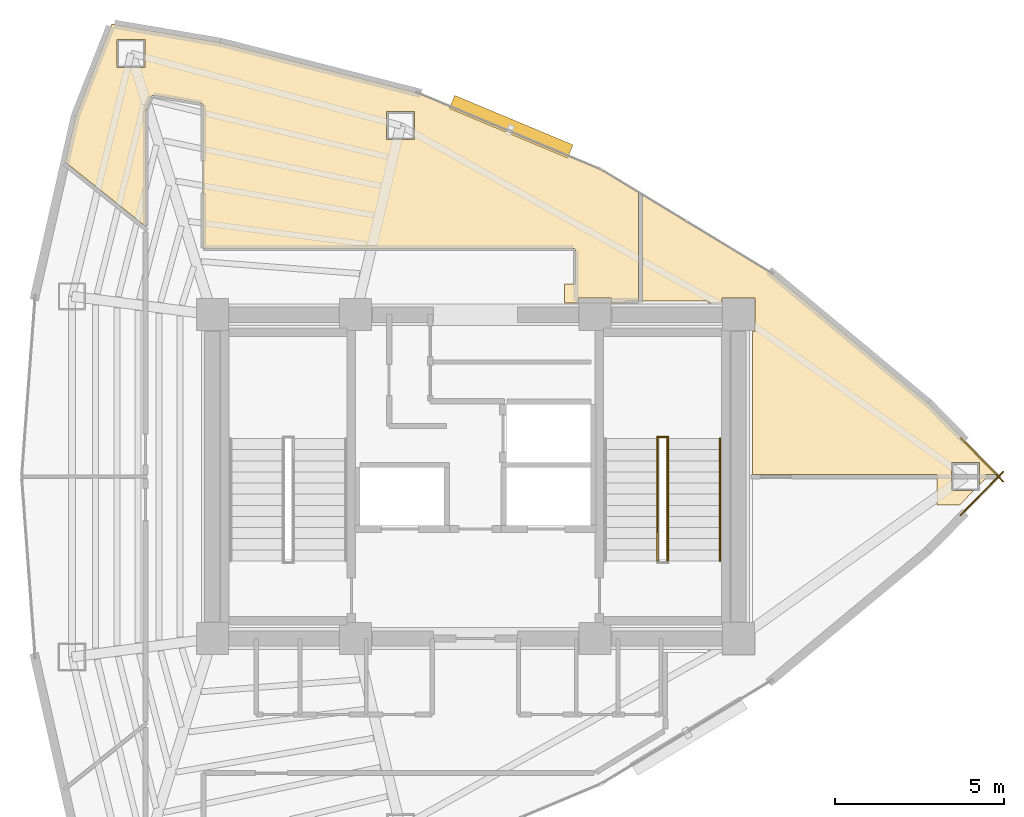
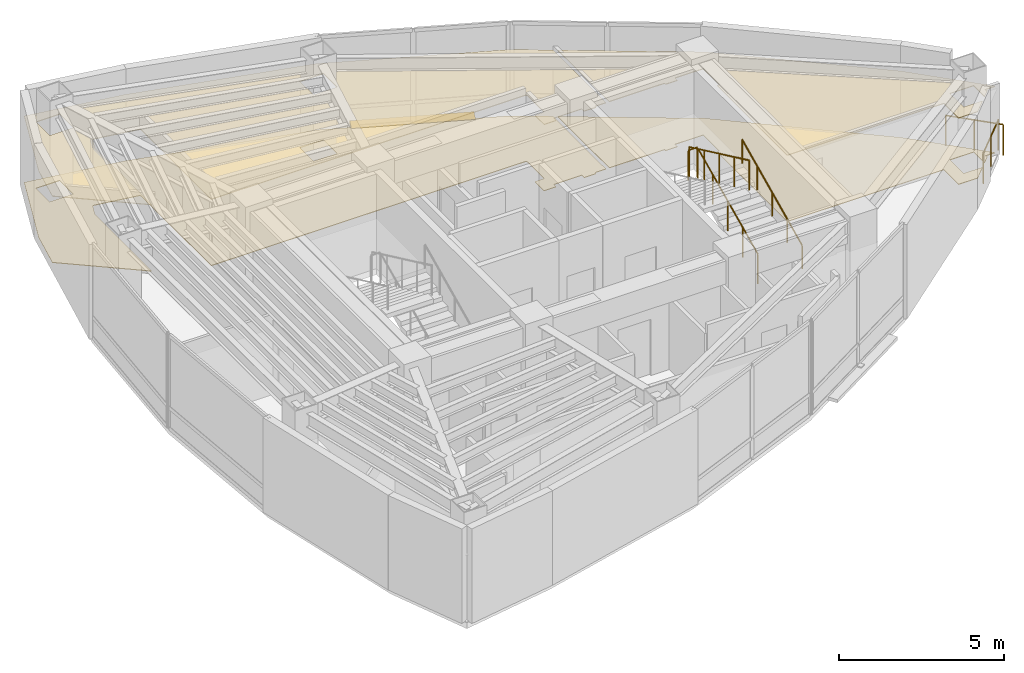
# One storey, part 15 of 15: 6 railings, 4 coverings, 1 shading device.
"""IFC4 building model written with IfcOpenShell, lengths in metres."""

from ifc_helpers import new_model, si_unit, direction, frame, origin, origin_2d, place, context, subcontext, project, spatial, polyline, rectangle, circle, outline, extrude, material, layer, layer_set, type_object, element, save


model = new_model("IFC4")

# Units and contexts
model_context = context("Model", 3, precision=1e-05, world=origin(), true_north=direction((0.0, 1.0)))
body_context = subcontext(model_context, "Body", "Model", "MODEL_VIEW")
ifc_project = project(units=[si_unit("LENGTHUNIT", "METRE"), si_unit("AREAUNIT", "SQUARE_METRE"), si_unit("VOLUMEUNIT", "CUBIC_METRE"), si_unit("PLANEANGLEUNIT", "RADIAN"), si_unit("MASSUNIT", "GRAM", prefix="KILO")], contexts=[model_context])

# Site, building, storey
site_placement = place(None, origin())
site = spatial("IfcSite", under=ifc_project, at=site_placement, CompositionType="ELEMENT")
building_placement = place(site_placement, origin())
building = spatial("IfcBuilding", under=site, at=building_placement, Name="Menara Vayukalpa", CompositionType="ELEMENT")
storey_placement = place(building_placement, frame((0.0, 0.0, 258.300048828125)))
storey = spatial("IfcBuildingStorey", under=building, at=storey_placement, Name="L65", CompositionType="ELEMENT", Elevation=258.300048828125)

# Coverings
ifc_material_1 = material(Name="Mineral Fibre Acoustic Ceiling Tile", Category="masonry")
ifc_layer_1 = layer(ifc_material_1, 0.02490234375)
ifc_layer_set_1 = layer_set([ifc_layer_1], Name="Mineral Fibre Acoustic Ceiling Tile")
covering_type_1 = type_object("IfcCoveringType", Name="COV-CLG1", PredefinedType="CEILING", material=ifc_layer_set_1)
covering_1_placement = place(storey_placement, frame((0.0, 0.0, 2.449951171875)))
element("IfcCovering", 1, at=covering_1_placement, inside=storey, type_object=covering_type_1, Name="L65 Technical Reference Library Acoustic Ceiling", PredefinedType="CEILING", context=body_context, shape_type="SweptSolid", body=[
    extrude(outline(polyline([(33.820068359375, 22.06005859375), (33.819091796875, 22.06005859375), (33.818115234375, 22.060302734375), (33.817138671875, 22.060302734375), (33.816162109375, 22.060791015625), (33.815185546875, 22.061279296875), (33.814453125, 22.061767578125), (33.813720703125, 22.062255859375), (33.81298828125, 22.06298828125), (33.812255859375, 22.063720703125), (33.811767578125, 22.064453125), (33.811279296875, 22.065185546875), (33.810791015625, 22.066162109375), (33.810302734375, 22.067138671875), (33.810302734375, 22.068115234375), (33.81005859375, 22.069091796875), (33.81005859375, 22.070068359375), (33.81005859375, 26.31005859375), (33.889892578125, 26.31005859375), (33.889892578125, 27.2900390625), (32.909912109375, 27.2900390625), (32.909912109375, 27.14990234375), (32.489990234375, 27.14990234375), (32.489990234375, 27.2099609375), (30.570068359375, 27.2099609375), (30.569091796875, 27.2099609375), (30.568115234375, 27.210205078125), (30.567138671875, 27.21044921875), (30.566162109375, 27.210693359375), (30.565185546875, 27.211181640625), (30.564453125, 27.211669921875), (30.563720703125, 27.21240234375), (30.56298828125, 27.212890625), (30.562255859375, 27.213623046875), (30.561767578125, 27.21435546875), (30.561279296875, 27.21533203125), (30.560791015625, 27.21630859375), (30.560302734375, 27.217041015625), (30.560302734375, 27.218017578125), (30.56005859375, 27.218994140625), (30.56005859375, 27.219970703125), (30.56005859375, 30.329345703125), (30.56005859375, 30.330322265625), (30.560302734375, 30.331298828125), (30.560302734375, 30.33203125), (30.560791015625, 30.3330078125), (30.56103515625, 30.333984375), (30.5615234375, 30.334716796875), (30.562255859375, 30.33544921875), (30.562744140625, 30.336181640625), (30.5634765625, 30.3369140625), (30.564208984375, 30.33740234375), (30.565185546875, 30.337890625), (30.56591796875, 30.33837890625), (30.56689453125, 30.3388671875), (30.56787109375, 30.339111328125), (30.568603515625, 30.339111328125), (30.569580078125, 30.33935546875), (30.570556640625, 30.33935546875), (30.571533203125, 30.339111328125), (30.572509765625, 30.339111328125), (30.573486328125, 30.338623046875), (30.57421875, 30.33837890625), (30.5751953125, 30.337890625), (34.37353515625, 28.030517578125), (34.374755859375, 28.02978515625), (39.0205078125, 24.177001953125), (39.021240234375, 24.17626953125), (41.082275390625, 22.076904296875), (41.0830078125, 22.076416015625), (41.08349609375, 22.075439453125), (41.083984375, 22.07470703125), (41.08447265625, 22.07373046875), (41.084716796875, 22.07275390625), (41.0849609375, 22.072021484375), (41.085205078125, 22.07080078125), (41.085205078125, 22.06982421875), (41.0849609375, 22.069091796875), (41.0849609375, 22.068115234375), (41.084716796875, 22.06689453125), (41.084228515625, 22.066162109375), (41.083984375, 22.065185546875), (41.08349609375, 22.064453125), (41.082763671875, 22.063720703125), (41.08203125, 22.06298828125), (41.081298828125, 22.062255859375), (41.08056640625, 22.061767578125), (41.079833984375, 22.061279296875), (41.078857421875, 22.060791015625), (41.077880859375, 22.060302734375), (41.076904296875, 22.060302734375), (41.076171875, 22.06005859375), (41.0751953125, 22.06005859375), (40.720703125, 22.06005859375), (40.779541015625, 22.0), (40.536865234375, 21.7529296875), (40.536865234375, 22.4150390625), (39.706787109375, 22.4150390625), (39.706787109375, 21.5849609375), (40.3720703125, 21.5849609375), (39.959716796875, 21.1650390625), (39.286865234375, 21.1650390625), (39.286865234375, 22.06005859375), (33.820068359375, 22.06005859375)])), origin(), (0.0, 0.0, 1.0), 0.02490234375),
])
covering_2_placement = place(storey_placement, frame((0.0, 0.0, 2.449951171875)))
element("IfcCovering", 2, at=covering_2_placement, inside=storey, type_object=covering_type_1, Name="L65 Technical Reference Library Acoustic Ceiling", PredefinedType="CEILING", context=body_context, shape_type="SweptSolid", body=[
    extrude(outline(polyline([(28.569580078125, 28.706787109375), (28.568603515625, 28.713623046875), (28.56689453125, 28.72021484375), (28.564697265625, 28.726806640625), (28.561767578125, 28.73291015625), (28.55810546875, 28.73876953125), (28.553955078125, 28.744384765625), (28.549560546875, 28.74951171875), (28.54443359375, 28.75390625), (28.538818359375, 28.75830078125), (28.532958984375, 28.76171875), (28.52685546875, 28.7646484375), (28.520263671875, 28.76708984375), (28.513671875, 28.768798828125), (28.5068359375, 28.76953125), (28.499755859375, 28.77001953125), (17.5400390625, 28.77001953125), (17.5390625, 28.77001953125), (17.5380859375, 28.770263671875), (17.537109375, 28.7705078125), (17.5361328125, 28.770751953125), (17.535400390625, 28.771240234375), (17.534423828125, 28.771728515625), (17.53369140625, 28.772216796875), (17.532958984375, 28.77294921875), (17.5322265625, 28.773681640625), (17.53173828125, 28.7744140625), (17.53125, 28.775390625), (17.53076171875, 28.776123046875), (17.530517578125, 28.777099609375), (17.5302734375, 28.778076171875), (17.530029296875, 28.779052734375), (17.530029296875, 28.780029296875), (17.530029296875, 32.995849609375), (17.529541015625, 33.003173828125), (17.528564453125, 33.010009765625), (17.52685546875, 33.016845703125), (17.5244140625, 33.0234375), (17.521484375, 33.02978515625), (17.517822265625, 33.03564453125), (17.513427734375, 33.041259765625), (17.5087890625, 33.04638671875), (17.50341796875, 33.05078125), (17.497802734375, 33.05517578125), (17.49169921875, 33.05859375), (17.485107421875, 33.061279296875), (17.478515625, 33.063720703125), (17.471435546875, 33.065185546875), (16.06201171875, 33.304443359375), (16.054931640625, 33.305419921875), (16.048095703125, 33.305419921875), (16.041259765625, 33.304931640625), (16.034423828125, 33.3037109375), (16.02783203125, 33.302001953125), (16.021484375, 33.299560546875), (16.015625, 33.29638671875), (16.009765625, 33.292724609375), (16.00439453125, 33.28857421875), (15.999267578125, 33.283935546875), (15.994873046875, 33.27880859375), (15.990966796875, 33.273193359375), (15.987548828125, 33.267333984375), (15.984619140625, 33.2607421875), (15.8349609375, 32.87939453125), (15.832763671875, 32.873291015625), (15.831298828125, 32.86669921875), (15.830322265625, 32.8603515625), (15.830078125, 32.853515625), (15.830078125, 29.43359375), (15.830078125, 29.4326171875), (15.829833984375, 29.431640625), (15.82958984375, 29.4306640625), (15.8291015625, 29.4296875), (15.828857421875, 29.428955078125), (15.828369140625, 29.427978515625), (15.827880859375, 29.42724609375), (15.8271484375, 29.426513671875), (15.826416015625, 29.42578125), (15.82568359375, 29.42529296875), (15.82470703125, 29.4248046875), (15.823974609375, 29.42431640625), (15.822998046875, 29.424072265625), (15.822021484375, 29.423828125), (15.821044921875, 29.423583984375), (15.820068359375, 29.423583984375), (15.819091796875, 29.423583984375), (15.818115234375, 29.423828125), (15.817138671875, 29.424072265625), (15.81640625, 29.42431640625), (15.8154296875, 29.4248046875), (15.814453125, 29.42529296875), (15.813720703125, 29.42578125), (13.44921875, 31.3173828125), (13.448974609375, 31.317626953125), (13.448486328125, 31.318115234375), (13.44775390625, 31.31884765625), (13.447021484375, 31.319580078125), (13.4462890625, 31.3203125), (13.44580078125, 31.3212890625), (13.445556640625, 31.322021484375), (13.4453125, 31.322998046875), (13.445068359375, 31.323974609375), (13.44482421875, 31.324951171875), (13.44482421875, 31.325927734375), (13.44482421875, 31.326904296875), (13.445068359375, 31.327880859375), (13.75146484375, 32.689697265625), (13.751708984375, 32.690185546875), (13.751953125, 32.691162109375), (14.8173828125, 35.404541015625), (14.81787109375, 35.4052734375), (14.818359375, 35.40625), (14.81884765625, 35.406982421875), (14.819580078125, 35.40771484375), (14.8203125, 35.408447265625), (14.821044921875, 35.408935546875), (14.822021484375, 35.409423828125), (14.82275390625, 35.409912109375), (14.82373046875, 35.410400390625), (14.82470703125, 35.41064453125), (14.82568359375, 35.41064453125), (14.826416015625, 35.410888671875), (14.827392578125, 35.410888671875), (14.82861328125, 35.41064453125), (18.027587890625, 34.867431640625), (18.028564453125, 34.8671875), (23.877197265625, 33.375732421875), (23.878662109375, 33.375244140625), (29.32568359375, 31.0966796875), (29.326416015625, 31.09619140625), (29.3271484375, 31.095947265625), (30.435546875, 30.422607421875), (30.436279296875, 30.422119140625), (30.437255859375, 30.42138671875), (30.437744140625, 30.4208984375), (30.4384765625, 30.419921875), (30.43896484375, 30.419189453125), (30.439453125, 30.418212890625), (30.439697265625, 30.41748046875), (30.440185546875, 30.41650390625), (30.440185546875, 30.41552734375), (30.4404296875, 30.41455078125), (30.4404296875, 30.41357421875), (30.440185546875, 30.41259765625), (30.440185546875, 30.412353515625), (30.43994140625, 30.40673828125), (30.43994140625, 27.219970703125), (30.43994140625, 27.218994140625), (30.439697265625, 27.218017578125), (30.439697265625, 27.217041015625), (30.439208984375, 27.21630859375), (30.438720703125, 27.21533203125), (30.438232421875, 27.21435546875), (30.437744140625, 27.213623046875), (30.43701171875, 27.212890625), (30.436279296875, 27.21240234375), (30.435546875, 27.211669921875), (30.434814453125, 27.211181640625), (30.433837890625, 27.210693359375), (30.432861328125, 27.21044921875), (30.431884765625, 27.210205078125), (30.430908203125, 27.2099609375), (30.429931640625, 27.2099609375), (30.06005859375, 27.2099609375), (30.06005859375, 27.14990234375), (29.639892578125, 27.14990234375), (29.639892578125, 27.2900390625), (28.659912109375, 27.2900390625), (28.659912109375, 27.14990234375), (28.239990234375, 27.14990234375), (28.239990234375, 27.7099609375), (28.570068359375, 27.7099609375), (28.570068359375, 28.69970703125), (28.569580078125, 28.706787109375)]), holes=[polyline([(15.80419921875, 34.959716796875), (14.97412109375, 34.959716796875), (14.97412109375, 34.129638671875), (15.80419921875, 34.129638671875), (15.80419921875, 34.959716796875)]), polyline([(23.796875, 32.81982421875), (22.966796875, 32.81982421875), (22.966796875, 31.98974609375), (23.796875, 31.98974609375), (23.796875, 32.81982421875)])]), origin(), (0.0, 0.0, 1.0), 0.02490234375),
])
ifc_material_2 = material(Name="Porcelain Stoneware Floor Tile", Category="masonry")
ifc_layer_2 = layer(ifc_material_2, 0.02001953125)
ifc_layer_set_2 = layer_set([ifc_layer_2], Name="Porcelain Stoneware Floor Tile")
covering_type_2 = type_object("IfcCoveringType", Name="COV-FLR1", PredefinedType="FLOORING", material=ifc_layer_set_2)
covering_3_placement = place(storey_placement, origin())
element("IfcCovering", 3, at=covering_3_placement, inside=storey, type_object=covering_type_2, Name="L65 Technical Reference Library Porcelain Flooring", PredefinedType="FLOORING", context=body_context, shape_type="SweptSolid", body=[
    extrude(outline(polyline([(33.820068359375, 22.06005859375), (33.819091796875, 22.06005859375), (33.818115234375, 22.060302734375), (33.817138671875, 22.060302734375), (33.816162109375, 22.060791015625), (33.815185546875, 22.061279296875), (33.814453125, 22.061767578125), (33.813720703125, 22.062255859375), (33.81298828125, 22.06298828125), (33.812255859375, 22.063720703125), (33.811767578125, 22.064453125), (33.811279296875, 22.065185546875), (33.810791015625, 22.066162109375), (33.810302734375, 22.067138671875), (33.810302734375, 22.068115234375), (33.81005859375, 22.069091796875), (33.81005859375, 22.070068359375), (33.81005859375, 26.31005859375), (33.889892578125, 26.31005859375), (33.889892578125, 27.2900390625), (32.909912109375, 27.2900390625), (32.909912109375, 27.14990234375), (32.489990234375, 27.14990234375), (32.489990234375, 27.2099609375), (30.570068359375, 27.2099609375), (30.569091796875, 27.2099609375), (30.568115234375, 27.210205078125), (30.567138671875, 27.21044921875), (30.566162109375, 27.210693359375), (30.565185546875, 27.211181640625), (30.564453125, 27.211669921875), (30.563720703125, 27.21240234375), (30.56298828125, 27.212890625), (30.562255859375, 27.213623046875), (30.561767578125, 27.21435546875), (30.561279296875, 27.21533203125), (30.560791015625, 27.21630859375), (30.560302734375, 27.217041015625), (30.560302734375, 27.218017578125), (30.56005859375, 27.218994140625), (30.56005859375, 27.219970703125), (30.56005859375, 30.329345703125), (30.56005859375, 30.330322265625), (30.560302734375, 30.331298828125), (30.560302734375, 30.33203125), (30.560791015625, 30.3330078125), (30.56103515625, 30.333984375), (30.5615234375, 30.334716796875), (30.562255859375, 30.33544921875), (30.562744140625, 30.336181640625), (30.5634765625, 30.3369140625), (30.564208984375, 30.33740234375), (30.565185546875, 30.337890625), (30.56591796875, 30.33837890625), (30.56689453125, 30.3388671875), (30.56787109375, 30.339111328125), (30.568603515625, 30.339111328125), (30.569580078125, 30.33935546875), (30.570556640625, 30.33935546875), (30.571533203125, 30.339111328125), (30.572509765625, 30.339111328125), (30.573486328125, 30.338623046875), (30.57421875, 30.33837890625), (30.5751953125, 30.337890625), (34.37353515625, 28.030517578125), (34.374755859375, 28.02978515625), (39.0205078125, 24.177001953125), (39.021240234375, 24.17626953125), (41.082275390625, 22.076904296875), (41.0830078125, 22.076416015625), (41.08349609375, 22.075439453125), (41.083984375, 22.07470703125), (41.08447265625, 22.07373046875), (41.084716796875, 22.07275390625), (41.0849609375, 22.072021484375), (41.085205078125, 22.07080078125), (41.085205078125, 22.06982421875), (41.0849609375, 22.069091796875), (41.0849609375, 22.068115234375), (41.084716796875, 22.06689453125), (41.084228515625, 22.066162109375), (41.083984375, 22.065185546875), (41.08349609375, 22.064453125), (41.082763671875, 22.063720703125), (41.08203125, 22.06298828125), (41.081298828125, 22.062255859375), (41.08056640625, 22.061767578125), (41.079833984375, 22.061279296875), (41.078857421875, 22.060791015625), (41.077880859375, 22.060302734375), (41.076904296875, 22.060302734375), (41.076171875, 22.06005859375), (41.0751953125, 22.06005859375), (40.720703125, 22.06005859375), (40.779541015625, 22.0), (40.536865234375, 21.7529296875), (40.536865234375, 22.4150390625), (39.706787109375, 22.4150390625), (39.706787109375, 21.5849609375), (40.3720703125, 21.5849609375), (39.959716796875, 21.1650390625), (39.286865234375, 21.1650390625), (39.286865234375, 22.06005859375), (33.820068359375, 22.06005859375)])), origin(), (0.0, 0.0, 1.0), 0.02001953125),
])
covering_4_placement = place(storey_placement, origin())
element("IfcCovering", 4, at=covering_4_placement, inside=storey, type_object=covering_type_2, Name="L65 Technical Reference Library Porcelain Flooring", PredefinedType="FLOORING", context=body_context, shape_type="SweptSolid", body=[
    extrude(outline(polyline([(28.569580078125, 28.706787109375), (28.568603515625, 28.713623046875), (28.56689453125, 28.72021484375), (28.564697265625, 28.726806640625), (28.561767578125, 28.73291015625), (28.55810546875, 28.73876953125), (28.553955078125, 28.744384765625), (28.549560546875, 28.74951171875), (28.54443359375, 28.75390625), (28.538818359375, 28.75830078125), (28.532958984375, 28.76171875), (28.52685546875, 28.7646484375), (28.520263671875, 28.76708984375), (28.513671875, 28.768798828125), (28.5068359375, 28.76953125), (28.499755859375, 28.77001953125), (17.5400390625, 28.77001953125), (17.5390625, 28.77001953125), (17.5380859375, 28.770263671875), (17.537109375, 28.7705078125), (17.5361328125, 28.770751953125), (17.535400390625, 28.771240234375), (17.534423828125, 28.771728515625), (17.53369140625, 28.772216796875), (17.532958984375, 28.77294921875), (17.5322265625, 28.773681640625), (17.53173828125, 28.7744140625), (17.53125, 28.775390625), (17.53076171875, 28.776123046875), (17.530517578125, 28.777099609375), (17.5302734375, 28.778076171875), (17.530029296875, 28.779052734375), (17.530029296875, 28.780029296875), (17.530029296875, 32.995849609375), (17.529541015625, 33.003173828125), (17.528564453125, 33.010009765625), (17.52685546875, 33.016845703125), (17.5244140625, 33.0234375), (17.521484375, 33.02978515625), (17.517822265625, 33.03564453125), (17.513427734375, 33.041259765625), (17.5087890625, 33.04638671875), (17.50341796875, 33.05078125), (17.497802734375, 33.05517578125), (17.49169921875, 33.05859375), (17.485107421875, 33.061279296875), (17.478515625, 33.063720703125), (17.471435546875, 33.065185546875), (16.06201171875, 33.304443359375), (16.054931640625, 33.305419921875), (16.048095703125, 33.305419921875), (16.041259765625, 33.304931640625), (16.034423828125, 33.3037109375), (16.02783203125, 33.302001953125), (16.021484375, 33.299560546875), (16.015625, 33.29638671875), (16.009765625, 33.292724609375), (16.00439453125, 33.28857421875), (15.999267578125, 33.283935546875), (15.994873046875, 33.27880859375), (15.990966796875, 33.273193359375), (15.987548828125, 33.267333984375), (15.984619140625, 33.2607421875), (15.8349609375, 32.87939453125), (15.832763671875, 32.873291015625), (15.831298828125, 32.86669921875), (15.830322265625, 32.8603515625), (15.830078125, 32.853515625), (15.830078125, 29.43359375), (15.830078125, 29.4326171875), (15.829833984375, 29.431640625), (15.82958984375, 29.4306640625), (15.8291015625, 29.4296875), (15.828857421875, 29.428955078125), (15.828369140625, 29.427978515625), (15.827880859375, 29.42724609375), (15.8271484375, 29.426513671875), (15.826416015625, 29.42578125), (15.82568359375, 29.42529296875), (15.82470703125, 29.4248046875), (15.823974609375, 29.42431640625), (15.822998046875, 29.424072265625), (15.822021484375, 29.423828125), (15.821044921875, 29.423583984375), (15.820068359375, 29.423583984375), (15.819091796875, 29.423583984375), (15.818115234375, 29.423828125), (15.817138671875, 29.424072265625), (15.81640625, 29.42431640625), (15.8154296875, 29.4248046875), (15.814453125, 29.42529296875), (15.813720703125, 29.42578125), (13.44921875, 31.3173828125), (13.448974609375, 31.317626953125), (13.448486328125, 31.318115234375), (13.44775390625, 31.31884765625), (13.447021484375, 31.319580078125), (13.4462890625, 31.3203125), (13.44580078125, 31.3212890625), (13.445556640625, 31.322021484375), (13.4453125, 31.322998046875), (13.445068359375, 31.323974609375), (13.44482421875, 31.324951171875), (13.44482421875, 31.325927734375), (13.44482421875, 31.326904296875), (13.445068359375, 31.327880859375), (13.75146484375, 32.689697265625), (13.751708984375, 32.690185546875), (13.751953125, 32.691162109375), (14.8173828125, 35.404541015625), (14.81787109375, 35.4052734375), (14.818359375, 35.40625), (14.81884765625, 35.406982421875), (14.819580078125, 35.40771484375), (14.8203125, 35.408447265625), (14.821044921875, 35.408935546875), (14.822021484375, 35.409423828125), (14.82275390625, 35.409912109375), (14.82373046875, 35.410400390625), (14.82470703125, 35.41064453125), (14.82568359375, 35.41064453125), (14.826416015625, 35.410888671875), (14.827392578125, 35.410888671875), (14.82861328125, 35.41064453125), (18.027587890625, 34.867431640625), (18.028564453125, 34.8671875), (23.877197265625, 33.375732421875), (23.878662109375, 33.375244140625), (29.32568359375, 31.0966796875), (29.326416015625, 31.09619140625), (29.3271484375, 31.095947265625), (30.435546875, 30.422607421875), (30.436279296875, 30.422119140625), (30.437255859375, 30.42138671875), (30.437744140625, 30.4208984375), (30.4384765625, 30.419921875), (30.43896484375, 30.419189453125), (30.439453125, 30.418212890625), (30.439697265625, 30.41748046875), (30.440185546875, 30.41650390625), (30.440185546875, 30.41552734375), (30.4404296875, 30.41455078125), (30.4404296875, 30.41357421875), (30.440185546875, 30.41259765625), (30.440185546875, 30.412353515625), (30.43994140625, 30.40673828125), (30.43994140625, 27.219970703125), (30.43994140625, 27.218994140625), (30.439697265625, 27.218017578125), (30.439697265625, 27.217041015625), (30.439208984375, 27.21630859375), (30.438720703125, 27.21533203125), (30.438232421875, 27.21435546875), (30.437744140625, 27.213623046875), (30.43701171875, 27.212890625), (30.436279296875, 27.21240234375), (30.435546875, 27.211669921875), (30.434814453125, 27.211181640625), (30.433837890625, 27.210693359375), (30.432861328125, 27.21044921875), (30.431884765625, 27.210205078125), (30.430908203125, 27.2099609375), (30.429931640625, 27.2099609375), (30.06005859375, 27.2099609375), (30.06005859375, 27.14990234375), (29.639892578125, 27.14990234375), (29.639892578125, 27.2900390625), (28.659912109375, 27.2900390625), (28.659912109375, 27.14990234375), (28.239990234375, 27.14990234375), (28.239990234375, 27.7099609375), (28.570068359375, 27.7099609375), (28.570068359375, 28.69970703125), (28.569580078125, 28.706787109375)]), holes=[polyline([(15.80419921875, 34.959716796875), (14.97412109375, 34.959716796875), (14.97412109375, 34.129638671875), (15.80419921875, 34.129638671875), (15.80419921875, 34.959716796875)]), polyline([(23.796875, 32.81982421875), (22.966796875, 32.81982421875), (22.966796875, 31.98974609375), (23.796875, 31.98974609375), (23.796875, 32.81982421875)])]), origin(), (0.0, 0.0, 1.0), 0.02001953125),
])

# Railings
ifc_material_3 = material(Name="Laminated Glass and Stainless Steel 316 Guardrail", Category="steel")
railing_type_1 = type_object("IfcRailingType", Name="RLG-EXT115", PredefinedType="GUARDRAIL", material=ifc_material_3)
railing_1_placement = place(storey_placement, frame((39.976318359375, 20.853515625, 0.0)))
element("IfcRailing", 5, at=railing_1_placement, inside=storey, type_object=railing_type_1, Name="L65 Column Corner Spandrel Guardrail 01-1", PredefinedType="GUARDRAIL", context=body_context, shape_type="SweptSolid", body=[
    extrude(circle(Radius=0.02392578125, at=origin_2d()), frame((0.0, 0.0, 1.1259765625), z_axis=(0.700555224103, 0.713598190848, 0.0), x_axis=(-0.713598190848, 0.700555224103, 0.0)), (0.0, 0.0, 1.0), 1.815673828125),
    extrude(circle(Radius=0.02099609375, at=origin_2d()), origin(), (0.0, 0.0, 1.0), 1.101806640625),
    extrude(circle(Radius=0.02099609375, at=origin_2d()), frame((0.635986328125, 0.64794921875, 0.0)), (0.0, 0.0, 1.0), 1.101806640625),
    extrude(circle(Radius=0.02099609375, at=origin_2d()), frame((1.27197265625, 1.295654296875, 0.0)), (0.0, 0.0, 1.0), 1.101806640625),
])
railing_2_placement = place(storey_placement, frame((41.248291015625, 21.850830078125, 0.0)))
element("IfcRailing", 6, at=railing_2_placement, inside=storey, type_object=railing_type_1, Name="L65 Column Corner Spandrel Guardrail 02-1", PredefinedType="GUARDRAIL", context=body_context, shape_type="SweptSolid", body=[
    extrude(circle(Radius=0.02392578125, at=origin_2d()), frame((0.0, 0.0, 1.1259765625), z_axis=(-0.700555224103, 0.713598190848, 0.0), x_axis=(-0.713598190848, -0.700555224103, 0.0)), (0.0, 0.0, 1.0), 1.815673828125),
    extrude(circle(Radius=0.02099609375, at=origin_2d()), origin(), (0.0, 0.0, 1.0), 1.101806640625),
    extrude(circle(Radius=0.02099609375, at=origin_2d()), frame((-0.635986328125, 0.64794921875, 0.0)), (0.0, 0.0, 1.0), 1.101806640625),
    extrude(circle(Radius=0.02099609375, at=origin_2d()), frame((-1.27197265625, 1.295654296875, 0.0)), (0.0, 0.0, 1.0), 1.101806640625),
])
ifc_material_4 = material(Name="Powder-Coated Galvanised Steel Guardrail", Category="steel")
railing_type_2 = type_object("IfcRailingType", Name="RLG-STG110", PredefinedType="GUARDRAIL", material=ifc_material_4)
railing_3_placement = place(storey_placement, frame((31.300048828125, 19.5, 0.155029296875)))
element("IfcRailing", 7, at=railing_3_placement, inside=storey, type_object=railing_type_2, Name="L65 ST-2 stair guard 1", PredefinedType="GUARDRAIL", context=body_context, shape_type="SweptSolid", body=[
    extrude(circle(Radius=0.02392578125, at=origin_2d()), frame((0.0, 0.0, 1.09619140625), z_axis=(0.0, 0.90513990983, 0.425113800803), x_axis=(-1.0, 0.0, 0.0)), (0.0, 0.0, 1.0), 4.01025390625),
    extrude(circle(Radius=0.02099609375, at=origin_2d()), origin(), (0.0, 0.0, 1.0), 1.072021484375),
    extrude(circle(Radius=0.02099609375, at=origin_2d()), frame((0.0, 0.907470703125, 0.42626953125)), (0.0, 0.0, 1.0), 1.072021484375),
    extrude(circle(Radius=0.02099609375, at=origin_2d()), frame((0.0, 1.81494140625, 0.8525390625)), (0.0, 0.0, 1.0), 1.072021484375),
    extrude(circle(Radius=0.02099609375, at=origin_2d()), frame((0.0, 2.722412109375, 1.278564453125)), (0.0, 0.0, 1.0), 1.072021484375),
    extrude(circle(Radius=0.02099609375, at=origin_2d()), frame((0.0, 3.6298828125, 1.704833984375)), (0.0, 0.0, 1.0), 1.072021484375),
])
railing_4_placement = place(storey_placement, frame((31.31005859375, 23.179931640625, 1.85986328125)))
element("IfcRailing", 8, at=railing_4_placement, inside=storey, type_object=railing_type_2, Name="L65 ST-2 stair guard 2", PredefinedType="GUARDRAIL", context=body_context, shape_type="SweptSolid", body=[
    extrude(circle(Radius=0.02392578125, at=origin_2d()), frame((0.0, 0.0, 1.09619140625), z_axis=(-1.0, 0.0, 0.0), x_axis=(0.0, -1.0, 0.0)), (0.0, 0.0, 1.0), 0.320068359375),
    extrude(circle(Radius=0.02099609375, at=origin_2d()), origin(), (0.0, 0.0, 1.0), 1.072021484375),
    extrude(circle(Radius=0.02099609375, at=origin_2d()), frame((-0.320068359375, 0.0, 0.0)), (0.0, 0.0, 1.0), 1.072021484375),
])
railing_5_placement = place(storey_placement, frame((31.0, 23.1298828125, 2.014892578125)))
element("IfcRailing", 9, at=railing_5_placement, inside=storey, type_object=railing_type_2, Name="L65 ST-2 stair guard 3", PredefinedType="GUARDRAIL", context=body_context, shape_type="SweptSolid", body=[
    extrude(circle(Radius=0.02392578125, at=origin_2d()), frame((0.0, 0.0, 1.09619140625), z_axis=(0.0, -0.90511648382, 0.425163675209), x_axis=(1.0, 0.0, 0.0)), (0.0, 0.0, 1.0), 4.010498046875),
    extrude(circle(Radius=0.02099609375, at=origin_2d()), origin(), (0.0, 0.0, 1.0), 1.072021484375),
    extrude(circle(Radius=0.02099609375, at=origin_2d()), frame((0.0, -0.907470703125, 0.42626953125)), (0.0, 0.0, 1.0), 1.072021484375),
    extrude(circle(Radius=0.02099609375, at=origin_2d()), frame((0.0, -1.81494140625, 0.8525390625)), (0.0, 0.0, 1.0), 1.072021484375),
    extrude(circle(Radius=0.02099609375, at=origin_2d()), frame((0.0, -2.722412109375, 1.27880859375)), (0.0, 0.0, 1.0), 1.072021484375),
    extrude(circle(Radius=0.02099609375, at=origin_2d()), frame((0.0, -3.6298828125, 1.705078125)), (0.0, 0.0, 1.0), 1.072021484375),
])
ifc_material_5 = material(Name="Stainless Steel 316 Tubular Handrail", Category="steel")
railing_type_3 = type_object("IfcRailingType", Name="RLG-STH090", PredefinedType="HANDRAIL", material=ifc_material_5)
railing_6_placement = place(storey_placement, frame((32.85009765625, 19.5, 0.155029296875)))
element("IfcRailing", 10, at=railing_6_placement, inside=storey, type_object=railing_type_3, Name="L65 ST-2 stair handrail 1", PredefinedType="HANDRAIL", context=body_context, shape_type="SweptSolid", body=[
    extrude(circle(Radius=0.02392578125, at=origin_2d()), frame((0.0, 0.0, 0.8759765625), z_axis=(0.0, 0.90513990983, 0.425113800803), x_axis=(-1.0, 0.0, 0.0)), (0.0, 0.0, 1.0), 4.01025390625),
    extrude(circle(Radius=0.02099609375, at=origin_2d()), origin(), (0.0, 0.0, 1.0), 0.851806640625),
    extrude(circle(Radius=0.02099609375, at=origin_2d()), frame((0.0, 0.907470703125, 0.42626953125)), (0.0, 0.0, 1.0), 0.851806640625),
    extrude(circle(Radius=0.02099609375, at=origin_2d()), frame((0.0, 1.81494140625, 0.8525390625)), (0.0, 0.0, 1.0), 0.851806640625),
    extrude(circle(Radius=0.02099609375, at=origin_2d()), frame((0.0, 2.722412109375, 1.278564453125)), (0.0, 0.0, 1.0), 0.851806640625),
    extrude(circle(Radius=0.02099609375, at=origin_2d()), frame((0.0, 3.6298828125, 1.704833984375)), (0.0, 0.0, 1.0), 0.851806640625),
])

# Shading device
ifc_material_6 = material(Name="Glazed Terracotta Ceramic Baguette Extrusion", Category="masonry")
ifc_layer_3 = layer(ifc_material_6, 0.1201171875)
ifc_layer_set_3 = layer_set([ifc_layer_3], Name="Glazed Terracotta Ceramic Baguette Extrusion")
shading_device_type = type_object("IfcShadingDeviceType", Name="SHD-SS1", PredefinedType="USERDEFINED", material=ifc_layer_set_3)
shading_device_placement = place(storey_placement, frame((26.66015625, 32.374267578125, -0.10009765625), z_axis=(0.0, 0.0, 1.0), x_axis=(-0.922538089456, 0.385906042324, 0.0)))
element("IfcShadingDevice", 11, at=shading_device_placement, inside=storey, type_object=shading_device_type, Name="L65 Horizontal Terracotta Sunshade Band 05", ObjectType="SUNSHADE", PredefinedType="USERDEFINED", context=body_context, shape_type="SweptSolid", body=[
    extrude(rectangle(XDim=3.800048828125, YDim=0.419921875, at=origin_2d()), origin(), (0.0, 0.0, 1.0), 0.1201171875),
])

save(model, "model.ifc")
